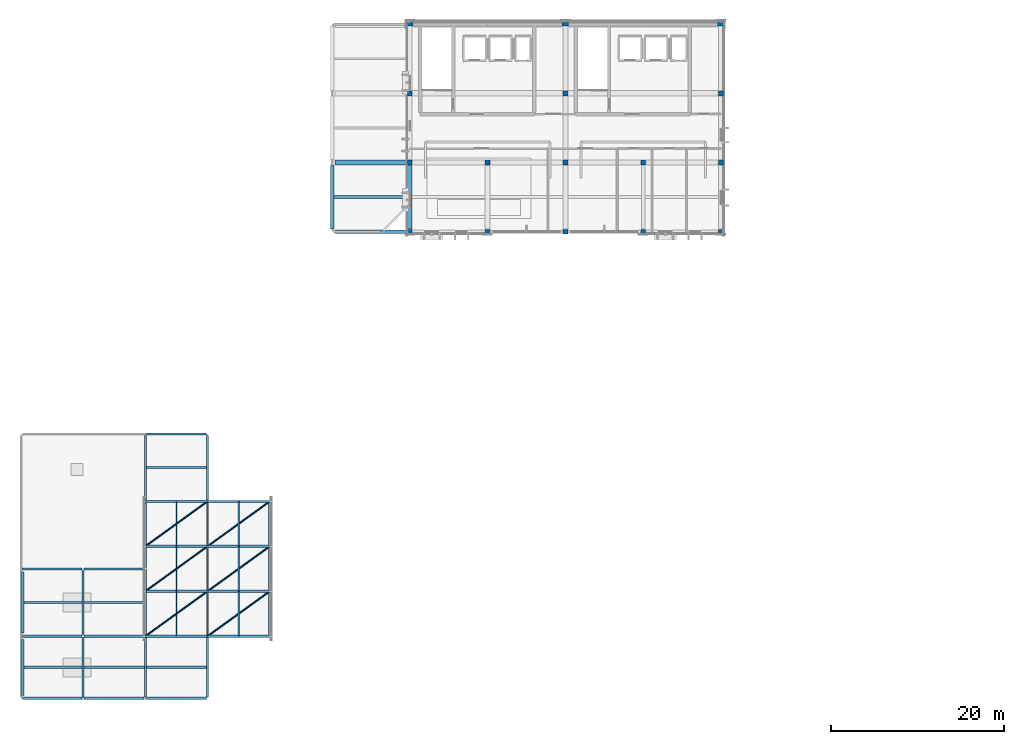
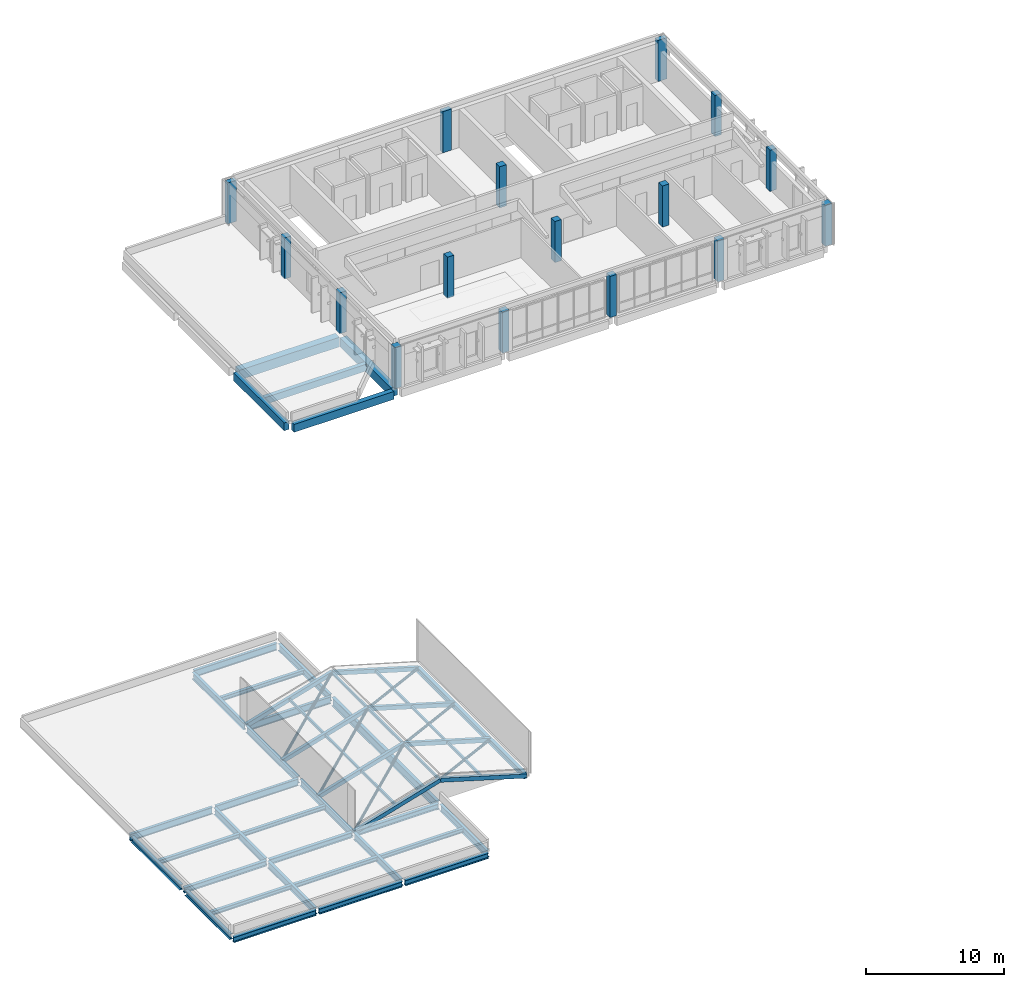
# One storey, part 1 of 12: 33 beams, 23 members, 16 columns.
"""IFC4 building model written with IfcOpenShell, lengths in metres."""

from ifc_helpers import new_model, si_unit, direction, frame, origin, origin_2d, place, context, subcontext, project, spatial, rectangle, hollow_rectangle, hollow_circle, i_section, extrude, material, material_profile, profile_set, type_object, element, save


model = new_model("IFC4")

# Units and contexts
model_context = context("Model", 3, precision=1e-05, world=origin(), true_north=direction((0.0, 1.0)))
body_context = subcontext(model_context, "Body", "Model", "MODEL_VIEW")
ifc_project = project(units=[si_unit("LENGTHUNIT", "METRE"), si_unit("AREAUNIT", "SQUARE_METRE"), si_unit("VOLUMEUNIT", "CUBIC_METRE"), si_unit("PLANEANGLEUNIT", "RADIAN"), si_unit("MASSUNIT", "GRAM", prefix="KILO")], contexts=[model_context])

# Site, building, storey
site_placement = place(None, origin())
site = spatial("IfcSite", under=ifc_project, at=site_placement, CompositionType="ELEMENT")
building_placement = place(site_placement, origin())
building = spatial("IfcBuilding", under=site, at=building_placement, Name="Vervanel Yard Central Library", CompositionType="ELEMENT")
storey_placement = place(building_placement, frame((0.0, 0.0, 20.260009765625)))
storey = spatial("IfcBuildingStorey", under=building, at=storey_placement, Name="L05", CompositionType="ELEMENT", Elevation=20.260009765625)

# Columns
ifc_material_1 = material(Name="Concrete C40/50", Category="concrete")
ifc_material_profile_1 = material_profile(ifc_material_1, rectangle(XDim=0.550048828125, YDim=0.550048828125, at=origin_2d()), Name="RC 550x550", Category="concrete")
ifc_profile_set_1 = profile_set([ifc_material_profile_1], Name="Concrete C40/50")
column_type_1 = type_object("IfcColumnType", Name="Concrete Column 550x550", PredefinedType="COLUMN", material=ifc_profile_set_1)
for number, where, z_axis, x_axis, name in (
    (1, (45.0, 90.0, 0.0), (0.0, 0.0, 1.0), (1.0, 0.0, 0.0), "L05 Concrete Column 550x550 (45.0, 90.0)"),
    (2, (45.0, 98.0, 0.0), (0.0, 0.0, 1.0), (1.0, 0.0, 0.0), "L05 Concrete Column 550x550 (45.0, 98.0)"),
    (3, (45.0, 106.0, 0.0), (0.0, 0.0, 1.0), (1.0, 0.0, 0.0), "L05 Concrete Column 550x550 (45.0, 106.0)"),
    (4, (54.0, 90.0, 0.0), (0.0, 0.0, 1.0), (1.0, 0.0, 0.0), "L05 Concrete Column 550x550 (54.0, 90.0)"),
    (5, (54.0, 98.0, 0.0), (0.0, 0.0, 1.0), (1.0, 0.0, 0.0), "L05 Concrete Column 550x550 (54.0, 98.0)"),
    (6, (63.0, 90.0, 0.0), (0.0, 0.0, 1.0), (1.0, 0.0, 0.0), "L05 Concrete Column 550x550 (63.0, 90.0)"),
    (7, (63.0, 98.0, 0.0), (0.0, 0.0, 1.0), (1.0, 0.0, 0.0), "L05 Concrete Column 550x550 (63.0, 98.0)"),
    (8, (63.0, 106.0, 0.0), (0.0, 0.0, 1.0), (1.0, 0.0, 0.0), "L05 Concrete Column 550x550 (63.0, 106.0)"),
    (9, (72.0, 90.0, 0.0), (0.0, 0.0, 1.0), (1.0, 0.0, 0.0), "L05 Concrete Column 550x550 (72.0, 90.0)"),
    (10, (72.0, 98.0, 0.0), (0.0, 0.0, 1.0), (1.0, 0.0, 0.0), "L05 Concrete Column 550x550 (72.0, 98.0)"),
    (11, (81.0, 90.0, 0.0), (0.0, 0.0, 1.0), (1.0, 0.0, 0.0), "L05 Concrete Column 550x550 (81.0, 90.0)"),
    (12, (81.0, 98.0, 0.0), (0.0, 0.0, 1.0), (1.0, 0.0, 0.0), "L05 Concrete Column 550x550 (81.0, 98.0)"),
    (13, (81.0, 106.0, 0.0), (0.0, 0.0, 1.0), (1.0, 0.0, 0.0), "L05 Concrete Column 550x550 (81.0, 106.0)"),
):
    element("IfcColumn", number, at=place(storey_placement, frame(where, z_axis=z_axis, x_axis=x_axis)), inside=storey, type_object=column_type_1, Name=name, PredefinedType="COLUMN", context=body_context, shape_type="SweptSolid", body=[
        extrude(rectangle(XDim=0.550048828125, YDim=0.550048828125, at=origin_2d()), origin(), (0.0, 0.0, 1.0), 3.639892578125),
    ])
ifc_material_profile_2 = material_profile(ifc_material_1, rectangle(XDim=0.39990234375, YDim=0.75, at=origin_2d()), Name="RC 400x750", Category="concrete")
ifc_profile_set_2 = profile_set([ifc_material_profile_2], Name="Concrete C40/50")
column_type_2 = type_object("IfcColumnType", Name="Perimeter Blade Column 400x750", PredefinedType="COLUMN", material=ifc_profile_set_2)
for number, where, z_axis, x_axis, name in (
    (14, (45.0, 114.0, 0.0), (0.0, 0.0, 1.0), (0.0, 1.0, 0.0), "L05 Perimeter Blade Column 400x750 (45.0, 114.0)"),
    (15, (63.0, 114.0, 0.0), (0.0, 0.0, 1.0), (0.0, 1.0, 0.0), "L05 Perimeter Blade Column 400x750 (63.0, 114.0)"),
    (16, (81.0, 114.0, 0.0), (0.0, 0.0, 1.0), (0.0, 1.0, 0.0), "L05 Perimeter Blade Column 400x750 (81.0, 114.0)"),
):
    element("IfcColumn", number, at=place(storey_placement, frame(where, z_axis=z_axis, x_axis=x_axis)), inside=storey, type_object=column_type_2, Name=name, PredefinedType="COLUMN", context=body_context, shape_type="SweptSolid", body=[
        extrude(rectangle(XDim=0.39990234375, YDim=0.75, at=origin_2d()), origin(), (0.0, 0.0, 1.0), 3.639892578125),
    ])

# Members
ifc_material_2 = material(Name="Steel ASTM A500 Grade C", Category="steel")
ifc_material_profile_3 = material_profile(ifc_material_2, hollow_rectangle(XDim=0.25390625, YDim=0.355712890625, WallThickness=0.0146484375, at=origin_2d()), Name="HSS14X10X5/8", Category="steel")
ifc_profile_set_3 = profile_set([ifc_material_profile_3], Name="Steel ASTM A500 Grade C")
member_type_1 = type_object("IfcMemberType", Name="Atrium Monitor Rafter HSS14X10X5/8", PredefinedType="RAFTER", material=ifc_profile_set_3)
member_1_placement = place(storey_placement, frame((14.39990234375, 43.199951171875, -0.380126953125), z_axis=(0.958553151023, 0.0, 0.284913770577), x_axis=(0.0, 1.0, 0.0)))
element("IfcMember", 17, at=member_1_placement, inside=storey, type_object=member_type_1, Name="Atrium Skylight Monitor Rafter W Y=43.2", PredefinedType="RAFTER", context=body_context, shape_type="SweptSolid", body=[
    extrude(hollow_rectangle(XDim=0.25390625, YDim=0.355712890625, WallThickness=0.0146484375, at=origin_2d()), origin(), (0.0, 0.0, 1.0), 7.511474609375),
])
member_2_placement = place(storey_placement, frame((21.60009765625, 43.199951171875, 1.760009765625), z_axis=(0.95855051251, 0.0, -0.284922647339), x_axis=(0.0, 1.0, 0.0)))
element("IfcMember", 18, at=member_2_placement, inside=storey, type_object=member_type_1, Name="Atrium Skylight Monitor Rafter E Y=43.2", PredefinedType="RAFTER", context=body_context, shape_type="SweptSolid", body=[
    extrude(hollow_rectangle(XDim=0.25390625, YDim=0.355712890625, WallThickness=0.0146484375, at=origin_2d()), origin(), (0.0, 0.0, 1.0), 7.51123046875),
])
member_3_placement = place(storey_placement, frame((14.39990234375, 48.39990234375, -0.380126953125), z_axis=(0.958553151023, 0.0, 0.284913770577), x_axis=(0.0, 1.0, 0.0)))
element("IfcMember", 19, at=member_3_placement, inside=storey, type_object=member_type_1, Name="Atrium Skylight Monitor Rafter W Y=48.4", PredefinedType="RAFTER", context=body_context, shape_type="SweptSolid", body=[
    extrude(hollow_rectangle(XDim=0.25390625, YDim=0.355712890625, WallThickness=0.0146484375, at=origin_2d()), origin(), (0.0, 0.0, 1.0), 7.511474609375),
])
member_4_placement = place(storey_placement, frame((21.60009765625, 48.39990234375, 1.760009765625), z_axis=(0.95855051251, 0.0, -0.284922647339), x_axis=(0.0, 1.0, 0.0)))
element("IfcMember", 20, at=member_4_placement, inside=storey, type_object=member_type_1, Name="Atrium Skylight Monitor Rafter E Y=48.4", PredefinedType="RAFTER", context=body_context, shape_type="SweptSolid", body=[
    extrude(hollow_rectangle(XDim=0.25390625, YDim=0.355712890625, WallThickness=0.0146484375, at=origin_2d()), origin(), (0.0, 0.0, 1.0), 7.51123046875),
])
member_5_placement = place(storey_placement, frame((14.39990234375, 53.60009765625, -0.380126953125), z_axis=(0.958553151023, 0.0, 0.284913770577), x_axis=(0.0, 1.0, 0.0)))
element("IfcMember", 21, at=member_5_placement, inside=storey, type_object=member_type_1, Name="Atrium Skylight Monitor Rafter W Y=53.6", PredefinedType="RAFTER", context=body_context, shape_type="SweptSolid", body=[
    extrude(hollow_rectangle(XDim=0.25390625, YDim=0.355712890625, WallThickness=0.0146484375, at=origin_2d()), origin(), (0.0, 0.0, 1.0), 7.511474609375),
])
member_6_placement = place(storey_placement, frame((21.60009765625, 53.60009765625, 1.760009765625), z_axis=(0.95855051251, 0.0, -0.284922647339), x_axis=(0.0, 1.0, 0.0)))
element("IfcMember", 22, at=member_6_placement, inside=storey, type_object=member_type_1, Name="Atrium Skylight Monitor Rafter E Y=53.6", PredefinedType="RAFTER", context=body_context, shape_type="SweptSolid", body=[
    extrude(hollow_rectangle(XDim=0.25390625, YDim=0.355712890625, WallThickness=0.0146484375, at=origin_2d()), origin(), (0.0, 0.0, 1.0), 7.51123046875),
])
member_7_placement = place(storey_placement, frame((14.39990234375, 58.800048828125, -0.380126953125), z_axis=(0.958553151023, 0.0, 0.284913770577), x_axis=(0.0, 1.0, 0.0)))
element("IfcMember", 23, at=member_7_placement, inside=storey, type_object=member_type_1, Name="Atrium Skylight Monitor Rafter W Y=58.8", PredefinedType="RAFTER", context=body_context, shape_type="SweptSolid", body=[
    extrude(hollow_rectangle(XDim=0.25390625, YDim=0.355712890625, WallThickness=0.0146484375, at=origin_2d()), origin(), (0.0, 0.0, 1.0), 7.511474609375),
])
member_8_placement = place(storey_placement, frame((21.60009765625, 58.800048828125, 1.760009765625), z_axis=(0.95855051251, 0.0, -0.284922647339), x_axis=(0.0, 1.0, 0.0)))
element("IfcMember", 24, at=member_8_placement, inside=storey, type_object=member_type_1, Name="Atrium Skylight Monitor Rafter E Y=58.8", PredefinedType="RAFTER", context=body_context, shape_type="SweptSolid", body=[
    extrude(hollow_rectangle(XDim=0.25390625, YDim=0.355712890625, WallThickness=0.0146484375, at=origin_2d()), origin(), (0.0, 0.0, 1.0), 7.51123046875),
])
ifc_material_profile_4 = material_profile(ifc_material_2, hollow_circle(Radius=0.109619140625, WallThickness=0.0087890625, at=origin_2d()), Name="HSS8.625X0.375", Category="steel")
ifc_profile_set_4 = profile_set([ifc_material_profile_4], Name="Steel ASTM A500 Grade C")
member_type_2 = type_object("IfcMemberType", Name="Atrium Skylight Diagrid Strut HSS8.625X0.375", PredefinedType="BRACE", material=ifc_profile_set_4)
member_9_placement = place(storey_placement, frame((14.39990234375, 43.199951171875, -0.380126953125), z_axis=(0.788131360628, 0.569185197681, 0.234258765335), x_axis=(-0.585476502865, 0.810689376144, 0.0)))
element("IfcMember", 25, at=member_9_placement, inside=storey, type_object=member_type_2, Name="Atrium Skylight Diagrid Strut W Y=43.2", PredefinedType="BRACE", context=body_context, shape_type="SweptSolid", body=[
    extrude(hollow_circle(Radius=0.109619140625, WallThickness=0.0087890625, at=origin_2d()), origin(), (0.0, 0.0, 1.0), 9.1357421875),
])
member_10_placement = place(storey_placement, frame((21.60009765625, 43.199951171875, 1.760009765625), z_axis=(0.788121236113, 0.569197185852, -0.23426369929), x_axis=(-0.585489550186, 0.810679953263, 0.0)))
element("IfcMember", 26, at=member_10_placement, inside=storey, type_object=member_type_2, Name="Atrium Skylight Diagrid Strut E Y=43.2", PredefinedType="BRACE", context=body_context, shape_type="SweptSolid", body=[
    extrude(hollow_circle(Radius=0.109619140625, WallThickness=0.0087890625, at=origin_2d()), origin(), (0.0, 0.0, 1.0), 9.135498046875),
])
member_11_placement = place(storey_placement, frame((14.39990234375, 48.39990234375, -0.380126953125), z_axis=(0.788119372624, 0.569203263152, 0.234255202103), x_axis=(-0.585494568313, 0.810676329046, 0.0)))
element("IfcMember", 27, at=member_11_placement, inside=storey, type_object=member_type_2, Name="Atrium Skylight Diagrid Strut W Y=48.4", PredefinedType="BRACE", context=body_context, shape_type="SweptSolid", body=[
    extrude(hollow_circle(Radius=0.109619140625, WallThickness=0.0087890625, at=origin_2d()), origin(), (0.0, 0.0, 1.0), 9.135986328125),
])
for number, where, z_axis, x_axis, name in (
    (28, (21.60009765625, 48.39990234375, 1.760009765625), (0.788109247758, 0.569215251339, -0.234260135833), (-0.585507615617, 0.810666905735, 0.0), "Atrium Skylight Diagrid Strut E Y=48.4"),
    (29, (14.39990234375, 53.60009765625, -0.380126953125), (0.788131360628, 0.569185197681, 0.234258765335), (-0.585476502865, 0.810689376144, 0.0), "Atrium Skylight Diagrid Strut W Y=53.6"),
):
    element("IfcMember", number, at=place(storey_placement, frame(where, z_axis=z_axis, x_axis=x_axis)), inside=storey, type_object=member_type_2, Name=name, PredefinedType="BRACE", context=body_context, shape_type="SweptSolid", body=[
        extrude(hollow_circle(Radius=0.109619140625, WallThickness=0.0087890625, at=origin_2d()), origin(), (0.0, 0.0, 1.0), 9.1357421875),
    ])
member_12_placement = place(storey_placement, frame((21.60009765625, 53.60009765625, 1.760009765625), z_axis=(0.788121236113, 0.569197185852, -0.23426369929), x_axis=(-0.585489550186, 0.810679953263, 0.0)))
element("IfcMember", 30, at=member_12_placement, inside=storey, type_object=member_type_2, Name="Atrium Skylight Diagrid Strut E Y=53.6", PredefinedType="BRACE", context=body_context, shape_type="SweptSolid", body=[
    extrude(hollow_circle(Radius=0.109619140625, WallThickness=0.0087890625, at=origin_2d()), origin(), (0.0, 0.0, 1.0), 9.135498046875),
])

# Beams
ifc_material_profile_5 = material_profile(ifc_material_1, rectangle(XDim=0.39990234375, YDim=0.699951171875, at=origin_2d()), Name="RC 400x700", Category="concrete")
ifc_profile_set_5 = profile_set([ifc_material_profile_5], Name="Concrete C40/50")
beam_type_1 = type_object("IfcBeamType", Name="Concrete Perimeter Spandrel 400x700", PredefinedType="SPANDREL", material=ifc_profile_set_5)
beam_1_placement = place(storey_placement, frame((36.324951171875, 90.0, -0.60498046875), z_axis=(1.0, 0.0, 0.0), x_axis=(0.0, 1.0, 0.0)))
element("IfcBeam", 31, at=beam_1_placement, inside=storey, type_object=beam_type_1, Name="L05 Girder SP-01 Y=90.0 X=36.0-45.0", PredefinedType="SPANDREL", context=body_context, shape_type="SweptSolid", body=[
    extrude(rectangle(XDim=0.39990234375, YDim=0.699951171875, at=origin_2d()), origin(), (0.0, 0.0, 1.0), 8.35009765625),
])
beam_2_placement = place(storey_placement, frame((36.0, 90.324951171875, -0.60498046875), z_axis=(0.0, 1.0, 0.0), x_axis=(-1.0, 0.0, 0.0)))
element("IfcBeam", 32, at=beam_2_placement, inside=storey, type_object=beam_type_1, Name="L05 Girder SP-01 X=36.0 Y=90.0-98.0", PredefinedType="SPANDREL", context=body_context, shape_type="SweptSolid", body=[
    extrude(rectangle(XDim=0.39990234375, YDim=0.699951171875, at=origin_2d()), origin(), (0.0, 0.0, 1.0), 7.35009765625),
])
ifc_material_profile_6 = material_profile(ifc_material_1, rectangle(XDim=0.550048828125, YDim=0.800048828125, at=origin_2d()), Name="RC 550x800", Category="concrete")
ifc_profile_set_6 = profile_set([ifc_material_profile_6], Name="Concrete C40/50")
beam_type_2 = type_object("IfcBeamType", Name="Concrete Primary Girder 550x800", PredefinedType="BEAM", material=ifc_profile_set_6)
beam_3_placement = place(storey_placement, frame((45.0, 90.324951171875, -0.68994140625), z_axis=(0.0, 1.0, 0.0), x_axis=(-1.0, 0.0, 0.0)))
element("IfcBeam", 33, at=beam_3_placement, inside=storey, type_object=beam_type_2, Name="L05 Girder CB-02 X=45.0 Y=90.0-98.0", PredefinedType="BEAM", context=body_context, shape_type="SweptSolid", body=[
    extrude(rectangle(XDim=0.550048828125, YDim=0.800048828125, at=origin_2d()), origin(), (0.0, 0.0, 1.0), 7.35009765625),
])
ifc_material_profile_7 = material_profile(ifc_material_1, rectangle(XDim=0.35009765625, YDim=0.60009765625, at=origin_2d()), Name="RC 350x600", Category="concrete")
ifc_profile_set_7 = profile_set([ifc_material_profile_7], Name="Concrete C40/50")
beam_type_3 = type_object("IfcBeamType", Name="Concrete Secondary Joist 350x600", PredefinedType="JOIST", material=ifc_profile_set_7)
beam_4_placement = place(storey_placement, frame((36.199951171875, 94.0, -0.590087890625), z_axis=(1.0, 0.0, 0.0), x_axis=(0.0, 1.0, 0.0)))
element("IfcBeam", 34, at=beam_4_placement, inside=storey, type_object=beam_type_3, Name="L05 Floor Joist CJ-01 Y=94.00 X=36.0-45.0", PredefinedType="JOIST", context=body_context, shape_type="SweptSolid", body=[
    extrude(rectangle(XDim=0.35009765625, YDim=0.60009765625, at=origin_2d()), origin(), (0.0, 0.0, 1.0), 8.525146484375),
])
ifc_material_3 = material(Name="Concrete C45/55", Category="concrete")
ifc_material_profile_8 = material_profile(ifc_material_3, rectangle(XDim=0.60009765625, YDim=0.85009765625, at=origin_2d()), Name="RC 600x850", Category="concrete")
ifc_profile_set_8 = profile_set([ifc_material_profile_8], Name="Concrete C45/55")
beam_type_4 = type_object("IfcBeamType", Name="Concrete Stack Girder 600x850", PredefinedType="BEAM", material=ifc_profile_set_8)
beam_5_placement = place(storey_placement, frame((36.324951171875, 98.0, -0.679931640625), z_axis=(1.0, 0.0, 0.0), x_axis=(0.0, 1.0, 0.0)))
element("IfcBeam", 35, at=beam_5_placement, inside=storey, type_object=beam_type_4, Name="L05 Girder CB-03 Y=98.0 X=36.0-45.0", PredefinedType="BEAM", context=body_context, shape_type="SweptSolid", body=[
    extrude(rectangle(XDim=0.60009765625, YDim=0.85009765625, at=origin_2d()), origin(), (0.0, 0.0, 1.0), 8.35009765625),
])

# Members
ifc_material_profile_9 = material_profile(ifc_material_2, hollow_rectangle(XDim=0.15234375, YDim=0.203125, WallThickness=0.0087890625, at=origin_2d()), Name="HSS8X6X3/8", Category="steel")
ifc_profile_set_9 = profile_set([ifc_material_profile_9], Name="Steel ASTM A500 Grade C")
member_type_3 = type_object("IfcMemberType", Name="Skylight Purlin HSS8X6X3/8", PredefinedType="PURLIN", material=ifc_profile_set_9)
for number, where, z_axis, x_axis, name in (
    (36, (18.0, 43.199951171875, 0.68994140625), (0.0, 1.0, 0.0), (-1.0, 0.0, 0.0), "Atrium Skylight Purlin X=18.0 Y=43.2-48.4"),
    (37, (21.60009765625, 43.199951171875, 1.760009765625), (0.0, 1.0, 0.0), (-1.0, 0.0, 0.0), "Atrium Skylight Purlin X=21.6 Y=43.2-48.4"),
    (38, (25.199951171875, 43.199951171875, 0.68994140625), (0.0, 1.0, 0.0), (-1.0, 0.0, 0.0), "Atrium Skylight Purlin X=25.2 Y=43.2-48.4"),
):
    element("IfcMember", number, at=place(storey_placement, frame(where, z_axis=z_axis, x_axis=x_axis)), inside=storey, type_object=member_type_3, Name=name, PredefinedType="PURLIN", context=body_context, shape_type="SweptSolid", body=[
        extrude(hollow_rectangle(XDim=0.15234375, YDim=0.203125, WallThickness=0.0087890625, at=origin_2d()), origin(), (0.0, 0.0, 1.0), 5.199951171875),
    ])
for number, where, z_axis, x_axis, name in (
    (39, (18.0, 48.39990234375, 0.68994140625), (0.0, 1.0, 0.0), (-1.0, 0.0, 0.0), "Atrium Skylight Purlin X=18.0 Y=48.4-53.6"),
    (40, (21.60009765625, 48.39990234375, 1.760009765625), (0.0, 1.0, 0.0), (-1.0, 0.0, 0.0), "Atrium Skylight Purlin X=21.6 Y=48.4-53.6"),
    (41, (25.199951171875, 48.39990234375, 0.68994140625), (0.0, 1.0, 0.0), (-1.0, 0.0, 0.0), "Atrium Skylight Purlin X=25.2 Y=48.4-53.6"),
):
    element("IfcMember", number, at=place(storey_placement, frame(where, z_axis=z_axis, x_axis=x_axis)), inside=storey, type_object=member_type_3, Name=name, PredefinedType="PURLIN", context=body_context, shape_type="SweptSolid", body=[
        extrude(hollow_rectangle(XDim=0.15234375, YDim=0.203125, WallThickness=0.0087890625, at=origin_2d()), origin(), (0.0, 0.0, 1.0), 5.2001953125),
    ])
for number, where, z_axis, x_axis, name in (
    (42, (18.0, 53.60009765625, 0.68994140625), (0.0, 1.0, 0.0), (-1.0, 0.0, 0.0), "Atrium Skylight Purlin X=18.0 Y=53.6-58.8"),
    (43, (21.60009765625, 53.60009765625, 1.760009765625), (0.0, 1.0, 0.0), (-1.0, 0.0, 0.0), "Atrium Skylight Purlin X=21.6 Y=53.6-58.8"),
    (44, (25.199951171875, 53.60009765625, 0.68994140625), (0.0, 1.0, 0.0), (-1.0, 0.0, 0.0), "Atrium Skylight Purlin X=25.2 Y=53.6-58.8"),
):
    element("IfcMember", number, at=place(storey_placement, frame(where, z_axis=z_axis, x_axis=x_axis)), inside=storey, type_object=member_type_3, Name=name, PredefinedType="PURLIN", context=body_context, shape_type="SweptSolid", body=[
        extrude(hollow_rectangle(XDim=0.15234375, YDim=0.203125, WallThickness=0.0087890625, at=origin_2d()), origin(), (0.0, 0.0, 1.0), 5.199951171875),
    ])

# Beams
ifc_material_4 = material(Name="Steel ASTM A992 Grade 50", Category="steel")
ifc_material_profile_10 = material_profile(ifc_material_4, i_section(OverallWidth=0.25390625, OverallDepth=0.355712890625, WebThickness=0.010498046875, FlangeThickness=0.018310546875, at=origin_2d()), Name="W14X68", Category="steel")
ifc_profile_set_10 = profile_set([ifc_material_profile_10], Name="Steel ASTM A992 Grade 50")
beam_type_5 = type_object("IfcBeamType", Name="Steel Atrium Edge Joist W14X68", PredefinedType="JOIST", material=ifc_profile_set_10)
for number, where, z_axis, x_axis, name in (
    (45, (0.341064453125, 39.60009765625, -0.44287109375), (1.0, 0.0, 0.0), (0.0, 1.0, 0.0), "L05 Floor Joist SJ-06 Y=39.60 X=0.0-7.2"),
    (46, (0.341064453125, 47.10009765625, -0.44287109375), (1.0, 0.0, 0.0), (0.0, 1.0, 0.0), "L05 Floor Joist SJ-06 Y=47.10 X=0.0-7.2"),
):
    element("IfcBeam", number, at=place(storey_placement, frame(where, z_axis=z_axis, x_axis=x_axis)), inside=storey, type_object=beam_type_5, Name=name, PredefinedType="JOIST", context=body_context, shape_type="SweptSolid", body=[
        extrude(i_section(OverallWidth=0.25390625, OverallDepth=0.355712890625, WebThickness=0.010498046875, FlangeThickness=0.018310546875, at=origin_2d()), origin(), (0.0, 0.0, 1.0), 6.744384765625),
    ])
for number, where, z_axis, x_axis, name in (
    (47, (7.314697265625, 39.60009765625, -0.44287109375), (1.0, 0.0, 0.0), (0.0, 1.0, 0.0), "L05 Floor Joist SJ-06 Y=39.60 X=7.2-14.4"),
    (48, (7.314697265625, 47.10009765625, -0.44287109375), (1.0, 0.0, 0.0), (0.0, 1.0, 0.0), "L05 Floor Joist SJ-06 Y=47.10 X=7.2-14.4"),
    (49, (14.5146484375, 39.60009765625, -0.44287109375), (1.0, 0.0, 0.0), (0.0, 1.0, 0.0), "L05 Floor Joist SJ-06 Y=39.60 X=14.4-21.6"),
    (50, (14.5146484375, 62.699951171875, -0.44287109375), (1.0, 0.0, 0.0), (0.0, 1.0, 0.0), "L05 Floor Joist SJ-06 Y=62.70 X=14.4-21.6"),
):
    element("IfcBeam", number, at=place(storey_placement, frame(where, z_axis=z_axis, x_axis=x_axis)), inside=storey, type_object=beam_type_5, Name=name, PredefinedType="JOIST", context=body_context, shape_type="SweptSolid", body=[
        extrude(i_section(OverallWidth=0.25390625, OverallDepth=0.355712890625, WebThickness=0.010498046875, FlangeThickness=0.018310546875, at=origin_2d()), origin(), (0.0, 0.0, 1.0), 6.970703125),
    ])
ifc_material_profile_11 = material_profile(ifc_material_4, i_section(OverallWidth=0.281982421875, OverallDepth=0.46728515625, WebThickness=0.01220703125, FlangeThickness=0.01953125, at=origin_2d()), Name="W18X86", Category="steel")
ifc_profile_set_11 = profile_set([ifc_material_profile_11], Name="Steel ASTM A992 Grade 50")
beam_type_6 = type_object("IfcBeamType", Name="Steel Canopy Edge Beam W18X86", PredefinedType="BEAM", material=ifc_profile_set_11)
beam_6_placement = place(storey_placement, frame((28.800048828125, 43.199951171875, -0.43994140625), z_axis=(0.0, 1.0, 0.0), x_axis=(-1.0, 0.0, 0.0)))
element("IfcBeam", 51, at=beam_6_placement, inside=storey, type_object=beam_type_6, Name="L05 Atrium Monitor Eave Beam E", PredefinedType="BEAM", context=body_context, shape_type="SweptSolid", body=[
    extrude(i_section(OverallWidth=0.281982421875, OverallDepth=0.46728515625, WebThickness=0.01220703125, FlangeThickness=0.01953125, at=origin_2d()), origin(), (0.0, 0.0, 1.0), 15.60009765625),
])
ifc_material_profile_12 = material_profile(ifc_material_4, i_section(OverallWidth=0.22900390625, OverallDepth=0.612060546875, WebThickness=0.011962890625, FlangeThickness=0.01953125, at=origin_2d()), Name="W24X84", Category="steel")
ifc_profile_set_12 = profile_set([ifc_material_profile_12], Name="Steel ASTM A992 Grade 50")
beam_type_7 = type_object("IfcBeamType", Name="Steel Primary Girder W24X84", PredefinedType="BEAM", material=ifc_profile_set_12)
beam_7_placement = place(storey_placement, frame((0.175048828125, 51.0, -0.571044921875), z_axis=(1.0, 0.0, 0.0), x_axis=(0.0, 1.0, 0.0)))
element("IfcBeam", 52, at=beam_7_placement, inside=storey, type_object=beam_type_7, Name="L05 Girder SB-01 Y=51.0 X=0.0-7.2", PredefinedType="BEAM", context=body_context, shape_type="SweptSolid", body=[
    extrude(i_section(OverallWidth=0.22900390625, OverallDepth=0.612060546875, WebThickness=0.011962890625, FlangeThickness=0.01953125, at=origin_2d()), origin(), (0.0, 0.0, 1.0), 6.89794921875),
])
beam_8_placement = place(storey_placement, frame((7.326904296875, 51.0, -0.571044921875), z_axis=(1.0, 0.0, 0.0), x_axis=(0.0, 1.0, 0.0)))
element("IfcBeam", 53, at=beam_8_placement, inside=storey, type_object=beam_type_7, Name="L05 Girder SB-01 Y=51.0 X=7.2-14.4", PredefinedType="BEAM", context=body_context, shape_type="SweptSolid", body=[
    extrude(i_section(OverallWidth=0.22900390625, OverallDepth=0.612060546875, WebThickness=0.011962890625, FlangeThickness=0.01953125, at=origin_2d()), origin(), (0.0, 0.0, 1.0), 6.9111328125),
])
beam_9_placement = place(storey_placement, frame((14.56201171875, 58.800048828125, -0.571044921875), z_axis=(1.0, 0.0, 0.0), x_axis=(0.0, 1.0, 0.0)))
element("IfcBeam", 54, at=beam_9_placement, inside=storey, type_object=beam_type_7, Name="L05 Girder SB-01 Y=58.8 X=14.4-21.6", PredefinedType="BEAM", context=body_context, shape_type="SweptSolid", body=[
    extrude(i_section(OverallWidth=0.22900390625, OverallDepth=0.612060546875, WebThickness=0.011962890625, FlangeThickness=0.01953125, at=origin_2d()), origin(), (0.0, 0.0, 1.0), 6.910888671875),
])
beam_10_placement = place(storey_placement, frame((14.527099609375, 66.60009765625, -0.571044921875), z_axis=(1.0, 0.0, 0.0), x_axis=(0.0, 1.0, 0.0)))
element("IfcBeam", 55, at=beam_10_placement, inside=storey, type_object=beam_type_7, Name="L05 Girder SB-01 Y=66.6 X=14.4-21.6", PredefinedType="BEAM", context=body_context, shape_type="SweptSolid", body=[
    extrude(i_section(OverallWidth=0.22900390625, OverallDepth=0.612060546875, WebThickness=0.011962890625, FlangeThickness=0.01953125, at=origin_2d()), origin(), (0.0, 0.0, 1.0), 6.94580078125),
])
beam_11_placement = place(storey_placement, frame((7.199951171875, 36.177734375, -0.571044921875), z_axis=(0.0, 1.0, 0.0), x_axis=(-1.0, 0.0, 0.0)))
element("IfcBeam", 56, at=beam_11_placement, inside=storey, type_object=beam_type_7, Name="L05 Girder SB-01 X=7.2 Y=36.0-43.2", PredefinedType="BEAM", context=body_context, shape_type="SweptSolid", body=[
    extrude(i_section(OverallWidth=0.22900390625, OverallDepth=0.612060546875, WebThickness=0.011962890625, FlangeThickness=0.01953125, at=origin_2d()), origin(), (0.0, 0.0, 1.0), 6.844482421875),
])
beam_12_placement = place(storey_placement, frame((7.199951171875, 43.377685546875, -0.571044921875), z_axis=(0.0, 1.0, 0.0), x_axis=(-1.0, 0.0, 0.0)))
element("IfcBeam", 57, at=beam_12_placement, inside=storey, type_object=beam_type_7, Name="L05 Girder SB-01 X=7.2 Y=43.2-51.0", PredefinedType="BEAM", context=body_context, shape_type="SweptSolid", body=[
    extrude(i_section(OverallWidth=0.22900390625, OverallDepth=0.612060546875, WebThickness=0.011962890625, FlangeThickness=0.01953125, at=origin_2d()), origin(), (0.0, 0.0, 1.0), 7.444580078125),
])
beam_13_placement = place(storey_placement, frame((14.39990234375, 36.177734375, -0.571044921875), z_axis=(0.0, 1.0, 0.0), x_axis=(-1.0, 0.0, 0.0)))
element("IfcBeam", 58, at=beam_13_placement, inside=storey, type_object=beam_type_7, Name="L05 Girder SB-01 X=14.4 Y=36.0-43.2", PredefinedType="BEAM", context=body_context, shape_type="SweptSolid", body=[
    extrude(i_section(OverallWidth=0.22900390625, OverallDepth=0.612060546875, WebThickness=0.011962890625, FlangeThickness=0.01953125, at=origin_2d()), origin(), (0.0, 0.0, 1.0), 6.8603515625),
])
for number, where, z_axis, x_axis, name in (
    (59, (14.39990234375, 43.36181640625, -0.571044921875), (0.0, 1.0, 0.0), (-1.0, 0.0, 0.0), "L05 Girder SB-01 X=14.4 Y=43.2-51.0"),
    (60, (14.39990234375, 51.161865234375, -0.571044921875), (0.0, 1.0, 0.0), (-1.0, 0.0, 0.0), "L05 Girder SB-01 X=14.4 Y=51.0-58.8"),
):
    element("IfcBeam", number, at=place(storey_placement, frame(where, z_axis=z_axis, x_axis=x_axis)), inside=storey, type_object=beam_type_7, Name=name, PredefinedType="BEAM", context=body_context, shape_type="SweptSolid", body=[
        extrude(i_section(OverallWidth=0.22900390625, OverallDepth=0.612060546875, WebThickness=0.011962890625, FlangeThickness=0.01953125, at=origin_2d()), origin(), (0.0, 0.0, 1.0), 7.476318359375),
    ])
beam_14_placement = place(storey_placement, frame((14.39990234375, 58.9619140625, -0.571044921875), z_axis=(0.0, 1.0, 0.0), x_axis=(-1.0, 0.0, 0.0)))
element("IfcBeam", 61, at=beam_14_placement, inside=storey, type_object=beam_type_7, Name="L05 Girder SB-01 X=14.4 Y=58.8-66.6", PredefinedType="BEAM", context=body_context, shape_type="SweptSolid", body=[
    extrude(i_section(OverallWidth=0.22900390625, OverallDepth=0.612060546875, WebThickness=0.011962890625, FlangeThickness=0.01953125, at=origin_2d()), origin(), (0.0, 0.0, 1.0), 7.460205078125),
])
beam_15_placement = place(storey_placement, frame((21.60009765625, 36.177734375, -0.571044921875), z_axis=(0.0, 1.0, 0.0), x_axis=(-1.0, 0.0, 0.0)))
element("IfcBeam", 62, at=beam_15_placement, inside=storey, type_object=beam_type_7, Name="L05 Girder SB-01 X=21.6 Y=36.0-43.2", PredefinedType="BEAM", context=body_context, shape_type="SweptSolid", body=[
    extrude(i_section(OverallWidth=0.22900390625, OverallDepth=0.612060546875, WebThickness=0.011962890625, FlangeThickness=0.01953125, at=origin_2d()), origin(), (0.0, 0.0, 1.0), 6.844482421875),
])
beam_16_placement = place(storey_placement, frame((21.60009765625, 58.977783203125, -0.571044921875), z_axis=(0.0, 1.0, 0.0), x_axis=(-1.0, 0.0, 0.0)))
element("IfcBeam", 63, at=beam_16_placement, inside=storey, type_object=beam_type_7, Name="L05 Girder SB-01 X=21.6 Y=58.8-66.6", PredefinedType="BEAM", context=body_context, shape_type="SweptSolid", body=[
    extrude(i_section(OverallWidth=0.22900390625, OverallDepth=0.612060546875, WebThickness=0.011962890625, FlangeThickness=0.01953125, at=origin_2d()), origin(), (0.0, 0.0, 1.0), 7.4443359375),
])
ifc_material_profile_13 = material_profile(ifc_material_4, i_section(OverallWidth=0.2666015625, OverallDepth=0.76953125, WebThickness=0.015625, FlangeThickness=0.025390625, at=origin_2d()), Name="W30X132", Category="steel")
ifc_profile_set_13 = profile_set([ifc_material_profile_13], Name="Steel ASTM A992 Grade 50")
beam_type_8 = type_object("IfcBeamType", Name="Steel Reading Hall Girder W30X132", PredefinedType="BEAM", material=ifc_profile_set_13)
beam_17_placement = place(storey_placement, frame((21.60009765625, 43.377685546875, -0.64990234375), z_axis=(0.0, 1.0, 0.0), x_axis=(-1.0, 0.0, 0.0)))
element("IfcBeam", 64, at=beam_17_placement, inside=storey, type_object=beam_type_8, Name="L05 Girder SB-04 X=21.6 Y=43.2-58.8", PredefinedType="BEAM", context=body_context, shape_type="SweptSolid", body=[
    extrude(i_section(OverallWidth=0.2666015625, OverallDepth=0.76953125, WebThickness=0.015625, FlangeThickness=0.025390625, at=origin_2d()), origin(), (0.0, 0.0, 1.0), 15.24462890625),
])
ifc_material_profile_14 = material_profile(ifc_material_4, i_section(OverallWidth=0.281982421875, OverallDepth=0.46728515625, WebThickness=0.01220703125, FlangeThickness=0.01953125, at=origin_2d()), Name="W18X86", Category="steel")
ifc_profile_set_14 = profile_set([ifc_material_profile_14], Name="Steel ASTM A992 Grade 50")
beam_type_9 = type_object("IfcBeamType", Name="Steel Spandrel Beam W18X86", PredefinedType="SPANDREL", material=ifc_profile_set_14)
beam_18_placement = place(storey_placement, frame((0.175048828125, 36.0, -0.498779296875), z_axis=(1.0, 0.0, 0.0), x_axis=(0.0, 1.0, 0.0)))
element("IfcBeam", 65, at=beam_18_placement, inside=storey, type_object=beam_type_9, Name="L05 Girder SP-02 Y=36.0 X=0.0-7.2", PredefinedType="SPANDREL", context=body_context, shape_type="SweptSolid", body=[
    extrude(i_section(OverallWidth=0.281982421875, OverallDepth=0.46728515625, WebThickness=0.01220703125, FlangeThickness=0.01953125, at=origin_2d()), origin(), (0.0, 0.0, 1.0), 6.89794921875),
])
beam_19_placement = place(storey_placement, frame((7.326904296875, 36.0, -0.498779296875), z_axis=(1.0, 0.0, 0.0), x_axis=(0.0, 1.0, 0.0)))
element("IfcBeam", 66, at=beam_19_placement, inside=storey, type_object=beam_type_9, Name="L05 Girder SP-02 Y=36.0 X=7.2-14.4", PredefinedType="SPANDREL", context=body_context, shape_type="SweptSolid", body=[
    extrude(i_section(OverallWidth=0.281982421875, OverallDepth=0.46728515625, WebThickness=0.01220703125, FlangeThickness=0.01953125, at=origin_2d()), origin(), (0.0, 0.0, 1.0), 6.946044921875),
])
beam_20_placement = place(storey_placement, frame((14.527099609375, 36.0, -0.498779296875), z_axis=(1.0, 0.0, 0.0), x_axis=(0.0, 1.0, 0.0)))
element("IfcBeam", 67, at=beam_20_placement, inside=storey, type_object=beam_type_9, Name="L05 Girder SP-02 Y=36.0 X=14.4-21.6", PredefinedType="SPANDREL", context=body_context, shape_type="SweptSolid", body=[
    extrude(i_section(OverallWidth=0.281982421875, OverallDepth=0.46728515625, WebThickness=0.01220703125, FlangeThickness=0.01953125, at=origin_2d()), origin(), (0.0, 0.0, 1.0), 6.94580078125),
])
beam_21_placement = place(storey_placement, frame((0.18994140625, 43.199951171875, -0.498779296875), z_axis=(1.0, 0.0, 0.0), x_axis=(0.0, 1.0, 0.0)))
element("IfcBeam", 68, at=beam_21_placement, inside=storey, type_object=beam_type_9, Name="L05 Girder SP-02 Y=43.2 X=0.0-7.2", PredefinedType="SPANDREL", context=body_context, shape_type="SweptSolid", body=[
    extrude(i_section(OverallWidth=0.281982421875, OverallDepth=0.46728515625, WebThickness=0.01220703125, FlangeThickness=0.01953125, at=origin_2d()), origin(), (0.0, 0.0, 1.0), 6.883056640625),
])
beam_22_placement = place(storey_placement, frame((7.326904296875, 43.199951171875, -0.498779296875), z_axis=(1.0, 0.0, 0.0), x_axis=(0.0, 1.0, 0.0)))
element("IfcBeam", 69, at=beam_22_placement, inside=storey, type_object=beam_type_9, Name="L05 Girder SP-02 Y=43.2 X=7.2-14.4", PredefinedType="SPANDREL", context=body_context, shape_type="SweptSolid", body=[
    extrude(i_section(OverallWidth=0.281982421875, OverallDepth=0.46728515625, WebThickness=0.01220703125, FlangeThickness=0.01953125, at=origin_2d()), origin(), (0.0, 0.0, 1.0), 6.9111328125),
])
beam_23_placement = place(storey_placement, frame((14.56201171875, 43.199951171875, -0.498779296875), z_axis=(1.0, 0.0, 0.0), x_axis=(0.0, 1.0, 0.0)))
element("IfcBeam", 70, at=beam_23_placement, inside=storey, type_object=beam_type_9, Name="L05 Girder SP-02 Y=43.2 X=14.4-21.6", PredefinedType="SPANDREL", context=body_context, shape_type="SweptSolid", body=[
    extrude(i_section(OverallWidth=0.281982421875, OverallDepth=0.46728515625, WebThickness=0.01220703125, FlangeThickness=0.01953125, at=origin_2d()), origin(), (0.0, 0.0, 1.0), 6.910888671875),
])
beam_24_placement = place(storey_placement, frame((0.199951171875, 36.35009765625, -0.498779296875), z_axis=(0.0, 1.0, 0.0), x_axis=(-1.0, 0.0, 0.0)))
element("IfcBeam", 71, at=beam_24_placement, inside=storey, type_object=beam_type_9, Name="L05 Girder SP-02 X=0.0 Y=36.0-43.2", PredefinedType="SPANDREL", context=body_context, shape_type="SweptSolid", body=[
    extrude(i_section(OverallWidth=0.281982421875, OverallDepth=0.46728515625, WebThickness=0.01220703125, FlangeThickness=0.01953125, at=origin_2d()), origin(), (0.0, 0.0, 1.0), 6.489990234375),
])
beam_25_placement = place(storey_placement, frame((0.199951171875, 43.56005859375, -0.498779296875), z_axis=(0.0, 1.0, 0.0), x_axis=(-1.0, 0.0, 0.0)))
element("IfcBeam", 72, at=beam_25_placement, inside=storey, type_object=beam_type_9, Name="L05 Girder SP-02 X=0.0 Y=43.2-51.0", PredefinedType="SPANDREL", context=body_context, shape_type="SweptSolid", body=[
    extrude(i_section(OverallWidth=0.281982421875, OverallDepth=0.46728515625, WebThickness=0.01220703125, FlangeThickness=0.01953125, at=origin_2d()), origin(), (0.0, 0.0, 1.0), 7.08984375),
])

save(model, "model.ifc")
